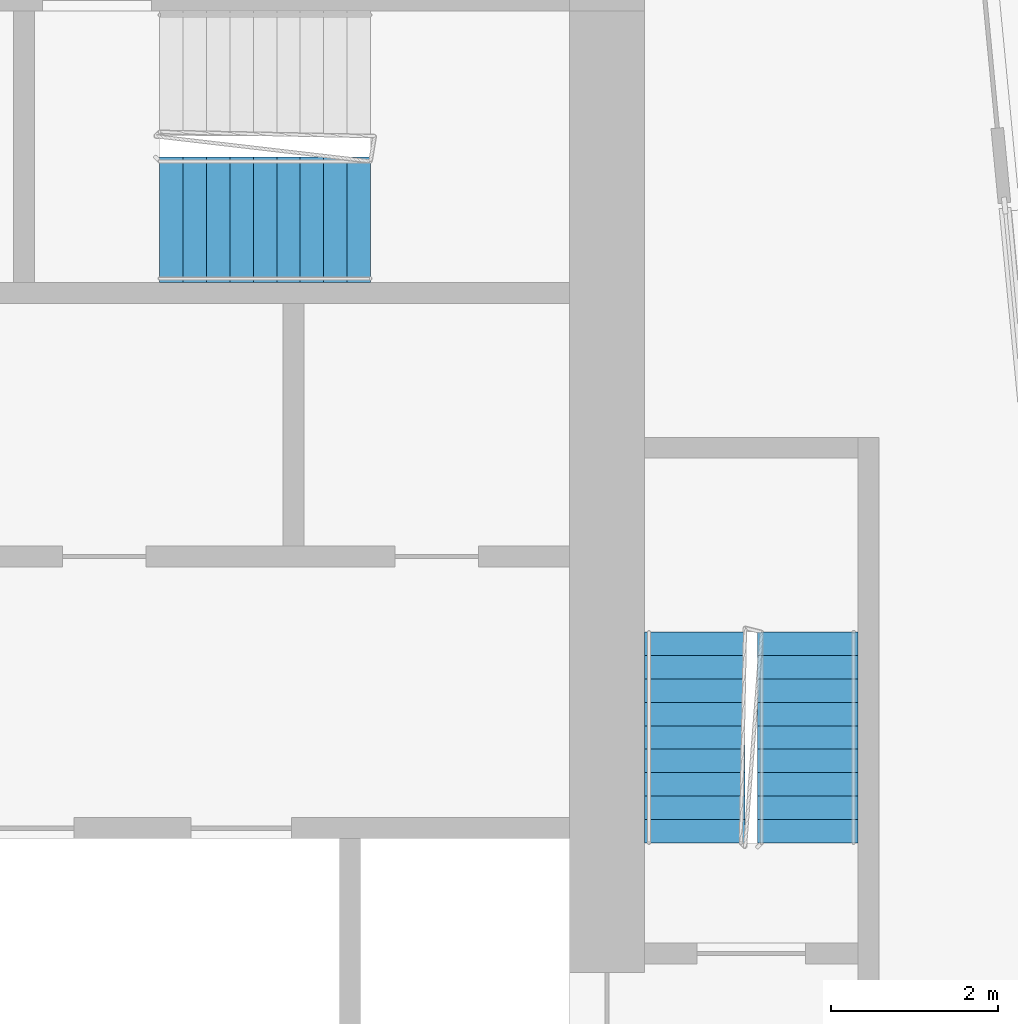
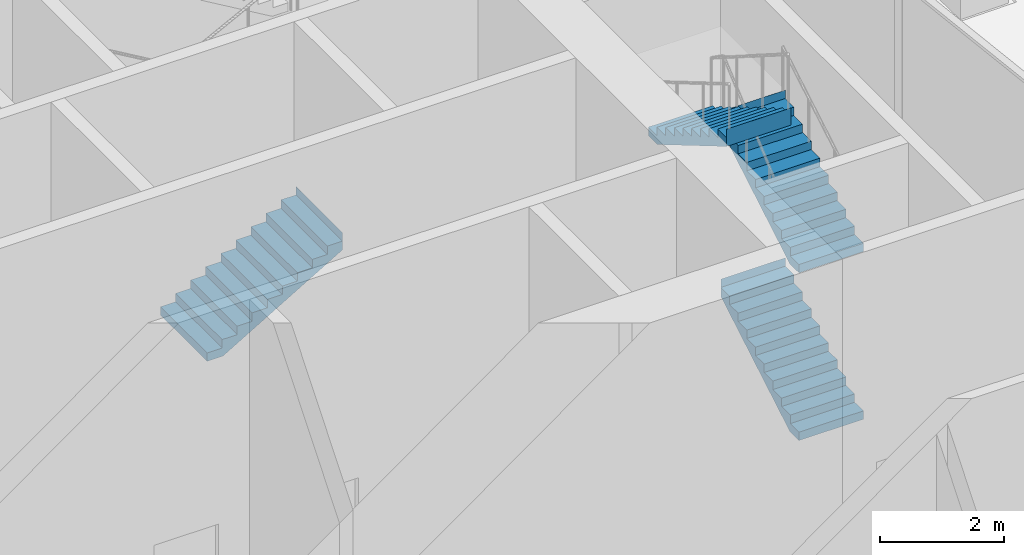
# One storey, part 20 of 24: 4 stair flights, 2 elements without a shape of their own.
"""IFC4 building model written with IfcOpenShell, lengths in metres."""

import ifcopenshell
import ifcopenshell.guid

model = None  # the IFC model being written
_history = None  # IfcOwnerHistory: only IFC2X3 demands one
_inside = {}  # id of a spatial element -> (the spatial element, [elements in it])
_under = {}  # id of a project, library or spatial element -> (it, [spatial elements below it])
_declared = {}  # id of a project -> (the project, [libraries it declares])
_typed = {}  # id of a type object -> (the type object, [elements of that type])
_made_of = {}  # id of a material, layer set ... -> (it, [elements and type objects made of it])


def new_model(schema):
    """Start an empty IFC model of exactly this schema.

    Asked for "IFC4X3", IfcOpenShell would pick the latest addendum, in which some entities
    have other attributes; the version numbers below select the first issue.
    IFC2X3 requires an IfcOwnerHistory on every rooted entity: one is made here for all.
    """
    global model, _history
    if schema == "IFC4X3":
        model = ifcopenshell.file(schema_version=(4, 3, 0, 0))
    else:
        model = ifcopenshell.file(schema=schema)
    _inside.clear()
    _under.clear()
    _declared.clear()
    _typed.clear()
    _made_of.clear()
    _history = None
    if model.schema == "IFC2X3":
        org = make("IfcOrganization", Name="unknown")
        user = make(
            "IfcPersonAndOrganization",
            ThePerson=make("IfcPerson", FamilyName="unknown"),
            TheOrganization=org,
        )
        app = make(
            "IfcApplication",
            ApplicationDeveloper=org,
            Version="unknown",
            ApplicationFullName="unknown",
            ApplicationIdentifier="unknown",
        )
        _history = make(
            "IfcOwnerHistory",
            OwningUser=user,
            OwningApplication=app,
            ChangeAction="ADDED",
            CreationDate=0,
        )
    return model


def make(cls, **values):
    """One entity of the class cls with the attributes given. An attribute that is None is left unset."""
    return model.create_entity(
        cls, **{name: value for name, value in values.items() if value is not None}
    )


def rooted(cls, **values):
    """An entity with a GlobalId (a new one), such as an element, a storey or a relation."""
    return make(cls, GlobalId=ifcopenshell.guid.new(), OwnerHistory=_history, **values)


def si_unit(unit_type, name, prefix=None):
    """IfcSIUnit, for example si_unit("LENGTHUNIT", "METRE", prefix="MILLI")."""
    return make("IfcSIUnit", UnitType=unit_type, Prefix=prefix, Name=name)


def assignment(units):
    """IfcUnitAssignment: the units of a project."""
    return None if units is None else make("IfcUnitAssignment", Units=units)


def point(xyz):
    """IfcCartesianPoint."""
    return None if xyz is None else make("IfcCartesianPoint", Coordinates=xyz)


def direction(xyz):
    """IfcDirection."""
    return None if xyz is None else make("IfcDirection", DirectionRatios=xyz)


def frame(location, z_axis=None, x_axis=None):
    """IfcAxis2Placement3D, a coordinate frame: its origin and axes. An axis left out is left unset."""
    return make(
        "IfcAxis2Placement3D",
        Location=point(location),
        Axis=direction(z_axis),
        RefDirection=direction(x_axis),
    )


def origin():
    """The frame at (0, 0, 0) with its axes left unset."""
    return frame((0.0, 0.0, 0.0))


def place(relative_to, where):
    """IfcLocalPlacement: puts the frame where relative to a parent placement (None: the world)."""
    return make(
        "IfcLocalPlacement", PlacementRelTo=relative_to, RelativePlacement=where
    )


def context(
    kind, dimensions, precision=None, world=None, true_north=None, identifier=None
):
    """IfcGeometricRepresentationContext, for example the 3D "Model" context."""
    return make(
        "IfcGeometricRepresentationContext",
        ContextIdentifier=identifier,
        ContextType=kind,
        CoordinateSpaceDimension=dimensions,
        Precision=precision,
        WorldCoordinateSystem=world,
        TrueNorth=true_north,
    )


def subcontext(parent, identifier, kind, view, scale=None):
    """IfcGeometricRepresentationSubContext, for example "Body" below "Model"."""
    return make(
        "IfcGeometricRepresentationSubContext",
        ContextIdentifier=identifier,
        ContextType=kind,
        ParentContext=parent,
        TargetScale=scale,
        TargetView=view,
    )


def project(units=None, contexts=None):
    """IfcProject with its units and contexts."""
    return rooted(
        "IfcProject",
        Name="project",
        RepresentationContexts=contexts,
        UnitsInContext=assignment(units),
    )


def spatial(cls, under=None, at=None, **own):
    """A site, building, storey or space (cls), placed at a placement, below another one or the project."""
    s = rooted(cls, ObjectPlacement=at, **own)
    if under is not None:
        _under.setdefault(under.id(), (under, []))[1].append(s)
    return s


def faces_of(points, faces, orient=None, outer=None):
    """IfcFace entities. A face is a list of loops; a loop is a list of indices into points, from 0.

    orient and outer hold one flag for each loop. By default every Orientation is true, the
    first loop of a face is its IfcFaceOuterBound and the others are IfcFaceBound.
    """
    made = []
    for i, loops in enumerate(faces):
        bounds = []
        for j, loop in enumerate(loops):
            is_outer = j == 0 if outer is None else outer[i][j]
            bounds.append(
                make(
                    "IfcFaceOuterBound" if is_outer else "IfcFaceBound",
                    Bound=make("IfcPolyLoop", Polygon=[points[k] for k in loop]),
                    Orientation=True if orient is None else orient[i][j],
                )
            )
        made.append(make("IfcFace", Bounds=bounds))
    return made


def faceted_brep(points, faces, orient=None, outer=None, voids=None):
    """IfcFacetedBrep: a solid bounded by flat faces; with voids (closed shells), ...WithVoids."""
    shared = [point(p) for p in points]
    hull = make("IfcClosedShell", CfsFaces=faces_of(shared, faces, orient, outer))
    if voids is None:
        return make("IfcFacetedBrep", Outer=hull)
    return make(
        "IfcFacetedBrepWithVoids",
        Outer=hull,
        Voids=[
            make(cls, CfsFaces=faces_of(shared, fs, o, b)) for cls, fs, o, b in voids
        ],
    )


def shape(context_of_items, identifier, shape_type, items):
    """IfcShapeRepresentation: the items that make up one representation, for example the "Body"."""
    return make(
        "IfcShapeRepresentation",
        ContextOfItems=context_of_items,
        RepresentationIdentifier=identifier,
        RepresentationType=shape_type,
        Items=items,
    )


def material(Name=None, Category=None):
    """IfcMaterial."""
    return make("IfcMaterial", Name=Name, Category=Category)


def made_of(thing, what):
    """Note that an element or type object is made of a material, layer set ...; save() writes the relation."""
    if what is not None:
        _made_of.setdefault(what.id(), (what, []))[1].append(thing)
    return thing


def type_object(cls, material=None, **own):
    """A type object (cls), such as IfcWallType, which elements share."""
    return made_of(rooted(cls, **own), material)


def element(
    cls,
    number,
    at=None,
    inside=None,
    cuts=None,
    type_object=None,
    material=None,
    context=None,
    identifier="Body",
    shape_type=None,
    held_by="IfcProductDefinitionShape",
    body=None,
    shapes=None,
    **own,
):
    """One element of the class cls, such as IfcWall. Its Tag is "e" and its number.

    at: its placement. inside: the storey or other place that contains it. cuts: it is an
    opening in that element (IfcRelVoidsElement). A single representation is given by context,
    identifier, shape_type and body (its items); several are given by shapes. held_by: the class
    of the entity that holds the representations. save() writes the other relations.
    """
    e = rooted(cls, Tag="e%d" % number, ObjectPlacement=at, **own)
    if body is not None:
        shapes = [shape(context, identifier, shape_type, body)]
    if shapes is not None:
        e.Representation = make(held_by, Representations=shapes)
    if inside is not None:
        _inside.setdefault(inside.id(), (inside, []))[1].append(e)
    if cuts is not None:
        rooted(
            "IfcRelVoidsElement", RelatingBuildingElement=cuts, RelatedOpeningElement=e
        )
    if type_object is not None:
        _typed.setdefault(type_object.id(), (type_object, []))[1].append(e)
    return made_of(e, material)


def aggregate(whole, parts):
    """IfcRelAggregates: a whole, such as a stair, and the parts it consists of."""
    return rooted("IfcRelAggregates", RelatingObject=whole, RelatedObjects=parts)


def save(model, path):
    """Write the relations noted so far, then the file.

    IfcRelAggregates (storeys below a building ...), IfcRelContainedInSpatialStructure (elements
    in a storey), IfcRelDefinesByType, IfcRelAssociatesMaterial and IfcRelDeclares: one each for
    every whole, place, type object, material and project.
    """
    for whole, parts in _under.values():
        aggregate(whole, parts)
    for where, things in _inside.values():
        rooted(
            "IfcRelContainedInSpatialStructure",
            RelatedElements=things,
            RelatingStructure=where,
        )
    for kind, things in _typed.values():
        rooted("IfcRelDefinesByType", RelatedObjects=things, RelatingType=kind)
    for what, things in _made_of.values():
        rooted("IfcRelAssociatesMaterial", RelatedObjects=things, RelatingMaterial=what)
    for by, libraries in _declared.values():
        rooted("IfcRelDeclares", RelatingContext=by, RelatedDefinitions=libraries)
    model.write(path)


model = new_model("IFC4")

# Units and contexts
model_context = context("Model", 3, precision=1e-05, world=origin(), true_north=direction((0.0, 1.0)))
body_context = subcontext(model_context, "Body", "Model", "MODEL_VIEW")
ifc_project = project(units=[si_unit("LENGTHUNIT", "METRE"), si_unit("AREAUNIT", "SQUARE_METRE"), si_unit("VOLUMEUNIT", "CUBIC_METRE"), si_unit("PLANEANGLEUNIT", "RADIAN"), si_unit("MASSUNIT", "GRAM", prefix="KILO")], contexts=[model_context])

# Site, building, storey
site_placement = place(None, origin())
site = spatial("IfcSite", under=ifc_project, at=site_placement, CompositionType="ELEMENT")
building_placement = place(site_placement, origin())
building = spatial("IfcBuilding", under=site, at=building_placement, Name="Kajstack Hotel Tower", CompositionType="ELEMENT")
storey_placement = place(building_placement, frame((0.0, 0.0, 261.89990234375)))
storey = spatial("IfcBuildingStorey", under=building, at=storey_placement, Name="L65", CompositionType="ELEMENT", Elevation=261.89990234375)

# Stair, stair flights
ifc_material = material(Name="Concrete C40/50", Category="concrete")
stair_type_1 = type_object("IfcStairType", Name="Exit stair 1200", PredefinedType="HALF_TURN_STAIR", material=ifc_material)
stair_1_placement = place(storey_placement, origin())
stair_1 = element("IfcStair", 1, at=stair_1_placement, inside=storey, type_object=stair_type_1, Name="L65 stair E1", PredefinedType="HALF_TURN_STAIR")
stair_flight_type_1 = type_object("IfcStairFlightType", Name="Exit stair flight 1200", PredefinedType="STRAIGHT", material=ifc_material)
stair_flight_1_placement = place(storey_placement, frame((33.449951171875, 5.25, 0.0), z_axis=(0.0, 0.0, 1.0), x_axis=(0.0, 1.0, 0.0)))
stair_flight_1 = element("IfcStairFlight", 2, at=stair_flight_1_placement, type_object=stair_flight_type_1, Name="E1 flight 1", NumberOfRisers=10, NumberOfTreads=9, PredefinedType="STRAIGHT", RiserHeight=0.165, TreadLength=0.28, context=body_context, shape_type="Brep", body=[
    faceted_brep([(0.295654296875, -0.60009765625, 0.0), (2.5205078125, -0.60009765625, 1.31103515625), (2.5205078125, -0.60009765625, 1.64990234375), (2.52001953125, -0.60009765625, 1.64990234375), (2.52001953125, -0.60009765625, 1.485107421875), (2.239990234375, -0.60009765625, 1.485107421875), (2.239990234375, -0.60009765625, 1.320068359375), (1.9599609375, -0.60009765625, 1.320068359375), (1.9599609375, -0.60009765625, 1.155029296875), (1.679931640625, -0.60009765625, 1.155029296875), (1.679931640625, -0.60009765625, 0.989990234375), (1.39990234375, -0.60009765625, 0.989990234375), (1.39990234375, -0.60009765625, 0.824951171875), (1.1201171875, -0.60009765625, 0.824951171875), (1.1201171875, -0.60009765625, 0.659912109375), (0.840087890625, -0.60009765625, 0.659912109375), (0.840087890625, -0.60009765625, 0.4951171875), (0.56005859375, -0.60009765625, 0.4951171875), (0.56005859375, -0.60009765625, 0.330078125), (0.280029296875, -0.60009765625, 0.330078125), (0.280029296875, -0.60009765625, 0.1650390625), (-0.00048828125, -0.60009765625, 0.1650390625), (-0.00048828125, -0.60009765625, 0.0), (-0.00048828125, 0.60009765625, 0.0), (-0.00048828125, 0.60009765625, 0.1650390625), (0.280029296875, 0.60009765625, 0.1650390625), (0.280029296875, 0.60009765625, 0.330078125), (0.56005859375, 0.60009765625, 0.330078125), (0.56005859375, 0.60009765625, 0.4951171875), (0.840087890625, 0.60009765625, 0.4951171875), (0.840087890625, 0.60009765625, 0.659912109375), (1.1201171875, 0.60009765625, 0.659912109375), (1.1201171875, 0.60009765625, 0.824951171875), (1.39990234375, 0.60009765625, 0.824951171875), (1.39990234375, 0.60009765625, 0.989990234375), (1.679931640625, 0.60009765625, 0.989990234375), (1.679931640625, 0.60009765625, 1.155029296875), (1.9599609375, 0.60009765625, 1.155029296875), (1.9599609375, 0.60009765625, 1.320068359375), (2.239990234375, 0.60009765625, 1.320068359375), (2.239990234375, 0.60009765625, 1.485107421875), (2.52001953125, 0.60009765625, 1.485107421875), (2.52001953125, 0.60009765625, 1.64990234375), (2.5205078125, 0.60009765625, 1.64990234375), (2.5205078125, 0.60009765625, 1.31103515625), (0.295654296875, 0.60009765625, 0.0), (-0.00048828125, -0.300048828125, 0.1650390625), (-0.00048828125, 0.0, 0.1650390625), (-0.00048828125, 0.300048828125, 0.1650390625), (-0.00048828125, 0.300048828125, 0.0), (-0.00048828125, 0.0, 0.0), (-0.00048828125, -0.300048828125, 0.0), (0.280029296875, -0.300048828125, 0.1650390625), (0.280029296875, 0.0, 0.1650390625), (0.280029296875, 0.300048828125, 0.1650390625), (0.280029296875, -0.300048828125, 0.330078125), (0.280029296875, 0.0, 0.330078125), (0.280029296875, 0.300048828125, 0.330078125), (0.56005859375, -0.300048828125, 0.330078125), (0.56005859375, 0.0, 0.330078125), (0.56005859375, 0.300048828125, 0.330078125), (0.56005859375, -0.300048828125, 0.4951171875), (0.56005859375, 0.0, 0.4951171875), (0.56005859375, 0.300048828125, 0.4951171875), (0.840087890625, -0.300048828125, 0.4951171875), (0.840087890625, 0.0, 0.4951171875), (0.840087890625, 0.300048828125, 0.4951171875), (0.840087890625, -0.300048828125, 0.659912109375), (0.840087890625, 0.0, 0.659912109375), (0.840087890625, 0.300048828125, 0.659912109375), (1.1201171875, -0.300048828125, 0.659912109375), (1.1201171875, 0.0, 0.659912109375), (1.1201171875, 0.300048828125, 0.659912109375), (1.1201171875, -0.300048828125, 0.824951171875), (1.1201171875, 0.0, 0.824951171875), (1.1201171875, 0.300048828125, 0.824951171875), (1.39990234375, -0.300048828125, 0.824951171875), (1.39990234375, 0.0, 0.824951171875), (1.39990234375, 0.300048828125, 0.824951171875), (1.39990234375, -0.300048828125, 0.989990234375), (1.39990234375, 0.0, 0.989990234375), (1.39990234375, 0.300048828125, 0.989990234375), (1.679931640625, -0.300048828125, 0.989990234375), (1.679931640625, 0.0, 0.989990234375), (1.679931640625, 0.300048828125, 0.989990234375), (1.679931640625, -0.300048828125, 1.155029296875), (1.679931640625, 0.0, 1.155029296875), (1.679931640625, 0.300048828125, 1.155029296875), (1.9599609375, -0.300048828125, 1.155029296875), (1.9599609375, 0.0, 1.155029296875), (1.9599609375, 0.300048828125, 1.155029296875), (1.9599609375, -0.300048828125, 1.320068359375), (1.9599609375, 0.0, 1.320068359375), (1.9599609375, 0.300048828125, 1.320068359375), (2.239990234375, -0.300048828125, 1.320068359375), (2.239990234375, 0.0, 1.320068359375), (2.239990234375, 0.300048828125, 1.320068359375), (2.239990234375, -0.300048828125, 1.485107421875), (2.239990234375, 0.0, 1.485107421875), (2.239990234375, 0.300048828125, 1.485107421875), (2.52001953125, -0.300048828125, 1.485107421875), (2.52001953125, 0.0, 1.485107421875), (2.52001953125, 0.300048828125, 1.485107421875), (2.52001953125, -0.300048828125, 1.64990234375), (2.52001953125, 0.0, 1.64990234375), (2.52001953125, 0.300048828125, 1.64990234375), (2.5205078125, -0.300048828125, 1.64990234375), (2.5205078125, 0.0, 1.64990234375), (2.5205078125, 0.300048828125, 1.64990234375), (2.5205078125, -0.300048828125, 1.31103515625), (2.5205078125, 0.0, 1.31103515625), (2.5205078125, 0.300048828125, 1.31103515625), (0.295654296875, -0.300048828125, 0.0), (0.295654296875, 0.0, 0.0), (0.295654296875, 0.300048828125, 0.0)], [[[0, 1, 2, 3, 4, 5, 6, 7, 8, 9, 10, 11, 12, 13, 14, 15, 16, 17, 18, 19, 20, 21, 22]], [[23, 24, 25, 26, 27, 28, 29, 30, 31, 32, 33, 34, 35, 36, 37, 38, 39, 40, 41, 42, 43, 44, 45]], [[21, 46, 47, 48, 24, 23, 49, 50, 51, 22]], [[20, 52, 53, 54, 25, 24, 48, 47, 46, 21]], [[19, 55, 56, 57, 26, 25, 54, 53, 52, 20]], [[18, 58, 59, 60, 27, 26, 57, 56, 55, 19]], [[17, 61, 62, 63, 28, 27, 60, 59, 58, 18]], [[16, 64, 65, 66, 29, 28, 63, 62, 61, 17]], [[15, 67, 68, 69, 30, 29, 66, 65, 64, 16]], [[14, 70, 71, 72, 31, 30, 69, 68, 67, 15]], [[13, 73, 74, 75, 32, 31, 72, 71, 70, 14]], [[12, 76, 77, 78, 33, 32, 75, 74, 73, 13]], [[11, 79, 80, 81, 34, 33, 78, 77, 76, 12]], [[10, 82, 83, 84, 35, 34, 81, 80, 79, 11]], [[9, 85, 86, 87, 36, 35, 84, 83, 82, 10]], [[8, 88, 89, 90, 37, 36, 87, 86, 85, 9]], [[7, 91, 92, 93, 38, 37, 90, 89, 88, 8]], [[6, 94, 95, 96, 39, 38, 93, 92, 91, 7]], [[5, 97, 98, 99, 40, 39, 96, 95, 94, 6]], [[4, 100, 101, 102, 41, 40, 99, 98, 97, 5]], [[3, 103, 104, 105, 42, 41, 102, 101, 100, 4]], [[2, 106, 107, 108, 43, 42, 105, 104, 103, 3]], [[1, 109, 110, 111, 44, 43, 108, 107, 106, 2]], [[0, 112, 113, 114, 45, 44, 111, 110, 109, 1]], [[22, 51, 50, 49, 23, 45, 114, 113, 112, 0]]]),
])
stair_flight_2_placement = place(storey_placement, frame((33.449951171875, 5.25, 3.300048828125), z_axis=(0.0, 0.0, 1.0), x_axis=(0.0, 1.0, 0.0)))
stair_flight_2 = element("IfcStairFlight", 3, at=stair_flight_2_placement, type_object=stair_flight_type_1, Name="E1 flight 3", NumberOfRisers=10, NumberOfTreads=9, PredefinedType="STRAIGHT", RiserHeight=0.165, TreadLength=0.28, context=body_context, shape_type="Brep", body=[
    faceted_brep([(0.295654296875, -0.60009765625, 0.0), (2.5205078125, -0.60009765625, 1.31103515625), (2.5205078125, -0.60009765625, 1.64990234375), (2.52001953125, -0.60009765625, 1.64990234375), (2.52001953125, -0.60009765625, 1.485107421875), (2.239990234375, -0.60009765625, 1.485107421875), (2.239990234375, -0.60009765625, 1.320068359375), (1.9599609375, -0.60009765625, 1.320068359375), (1.9599609375, -0.60009765625, 1.155029296875), (1.679931640625, -0.60009765625, 1.155029296875), (1.679931640625, -0.60009765625, 0.989990234375), (1.39990234375, -0.60009765625, 0.989990234375), (1.39990234375, -0.60009765625, 0.824951171875), (1.1201171875, -0.60009765625, 0.824951171875), (1.1201171875, -0.60009765625, 0.659912109375), (0.840087890625, -0.60009765625, 0.659912109375), (0.840087890625, -0.60009765625, 0.4951171875), (0.56005859375, -0.60009765625, 0.4951171875), (0.56005859375, -0.60009765625, 0.330078125), (0.280029296875, -0.60009765625, 0.330078125), (0.280029296875, -0.60009765625, 0.1650390625), (-0.00048828125, -0.60009765625, 0.1650390625), (-0.00048828125, -0.60009765625, 0.0), (-0.00048828125, 0.60009765625, 0.0), (-0.00048828125, 0.60009765625, 0.1650390625), (0.280029296875, 0.60009765625, 0.1650390625), (0.280029296875, 0.60009765625, 0.330078125), (0.56005859375, 0.60009765625, 0.330078125), (0.56005859375, 0.60009765625, 0.4951171875), (0.840087890625, 0.60009765625, 0.4951171875), (0.840087890625, 0.60009765625, 0.659912109375), (1.1201171875, 0.60009765625, 0.659912109375), (1.1201171875, 0.60009765625, 0.824951171875), (1.39990234375, 0.60009765625, 0.824951171875), (1.39990234375, 0.60009765625, 0.989990234375), (1.679931640625, 0.60009765625, 0.989990234375), (1.679931640625, 0.60009765625, 1.155029296875), (1.9599609375, 0.60009765625, 1.155029296875), (1.9599609375, 0.60009765625, 1.320068359375), (2.239990234375, 0.60009765625, 1.320068359375), (2.239990234375, 0.60009765625, 1.485107421875), (2.52001953125, 0.60009765625, 1.485107421875), (2.52001953125, 0.60009765625, 1.64990234375), (2.5205078125, 0.60009765625, 1.64990234375), (2.5205078125, 0.60009765625, 1.31103515625), (0.295654296875, 0.60009765625, 0.0), (-0.00048828125, -0.300048828125, 0.1650390625), (-0.00048828125, 0.0, 0.1650390625), (-0.00048828125, 0.300048828125, 0.1650390625), (-0.00048828125, 0.300048828125, 0.0), (-0.00048828125, 0.0, 0.0), (-0.00048828125, -0.300048828125, 0.0), (0.280029296875, -0.300048828125, 0.1650390625), (0.280029296875, 0.0, 0.1650390625), (0.280029296875, 0.300048828125, 0.1650390625), (0.280029296875, -0.300048828125, 0.330078125), (0.280029296875, 0.0, 0.330078125), (0.280029296875, 0.300048828125, 0.330078125), (0.56005859375, -0.300048828125, 0.330078125), (0.56005859375, 0.0, 0.330078125), (0.56005859375, 0.300048828125, 0.330078125), (0.56005859375, -0.300048828125, 0.4951171875), (0.56005859375, 0.0, 0.4951171875), (0.56005859375, 0.300048828125, 0.4951171875), (0.840087890625, -0.300048828125, 0.4951171875), (0.840087890625, 0.0, 0.4951171875), (0.840087890625, 0.300048828125, 0.4951171875), (0.840087890625, -0.300048828125, 0.659912109375), (0.840087890625, 0.0, 0.659912109375), (0.840087890625, 0.300048828125, 0.659912109375), (1.1201171875, -0.300048828125, 0.659912109375), (1.1201171875, 0.0, 0.659912109375), (1.1201171875, 0.300048828125, 0.659912109375), (1.1201171875, -0.300048828125, 0.824951171875), (1.1201171875, 0.0, 0.824951171875), (1.1201171875, 0.300048828125, 0.824951171875), (1.39990234375, -0.300048828125, 0.824951171875), (1.39990234375, 0.0, 0.824951171875), (1.39990234375, 0.300048828125, 0.824951171875), (1.39990234375, -0.300048828125, 0.989990234375), (1.39990234375, 0.0, 0.989990234375), (1.39990234375, 0.300048828125, 0.989990234375), (1.679931640625, -0.300048828125, 0.989990234375), (1.679931640625, 0.0, 0.989990234375), (1.679931640625, 0.300048828125, 0.989990234375), (1.679931640625, -0.300048828125, 1.155029296875), (1.679931640625, 0.0, 1.155029296875), (1.679931640625, 0.300048828125, 1.155029296875), (1.9599609375, -0.300048828125, 1.155029296875), (1.9599609375, 0.0, 1.155029296875), (1.9599609375, 0.300048828125, 1.155029296875), (1.9599609375, -0.300048828125, 1.320068359375), (1.9599609375, 0.0, 1.320068359375), (1.9599609375, 0.300048828125, 1.320068359375), (2.239990234375, -0.300048828125, 1.320068359375), (2.239990234375, 0.0, 1.320068359375), (2.239990234375, 0.300048828125, 1.320068359375), (2.239990234375, -0.300048828125, 1.485107421875), (2.239990234375, 0.0, 1.485107421875), (2.239990234375, 0.300048828125, 1.485107421875), (2.52001953125, -0.300048828125, 1.485107421875), (2.52001953125, 0.0, 1.485107421875), (2.52001953125, 0.300048828125, 1.485107421875), (2.52001953125, -0.300048828125, 1.64990234375), (2.52001953125, 0.0, 1.64990234375), (2.52001953125, 0.300048828125, 1.64990234375), (2.5205078125, -0.300048828125, 1.64990234375), (2.5205078125, 0.0, 1.64990234375), (2.5205078125, 0.300048828125, 1.64990234375), (2.5205078125, -0.300048828125, 1.31103515625), (2.5205078125, 0.0, 1.31103515625), (2.5205078125, 0.300048828125, 1.31103515625), (0.295654296875, -0.300048828125, 0.0), (0.295654296875, 0.0, 0.0), (0.295654296875, 0.300048828125, 0.0)], [[[0, 1, 2, 3, 4, 5, 6, 7, 8, 9, 10, 11, 12, 13, 14, 15, 16, 17, 18, 19, 20, 21, 22]], [[23, 24, 25, 26, 27, 28, 29, 30, 31, 32, 33, 34, 35, 36, 37, 38, 39, 40, 41, 42, 43, 44, 45]], [[21, 46, 47, 48, 24, 23, 49, 50, 51, 22]], [[20, 52, 53, 54, 25, 24, 48, 47, 46, 21]], [[19, 55, 56, 57, 26, 25, 54, 53, 52, 20]], [[18, 58, 59, 60, 27, 26, 57, 56, 55, 19]], [[17, 61, 62, 63, 28, 27, 60, 59, 58, 18]], [[16, 64, 65, 66, 29, 28, 63, 62, 61, 17]], [[15, 67, 68, 69, 30, 29, 66, 65, 64, 16]], [[14, 70, 71, 72, 31, 30, 69, 68, 67, 15]], [[13, 73, 74, 75, 32, 31, 72, 71, 70, 14]], [[12, 76, 77, 78, 33, 32, 75, 74, 73, 13]], [[11, 79, 80, 81, 34, 33, 78, 77, 76, 12]], [[10, 82, 83, 84, 35, 34, 81, 80, 79, 11]], [[9, 85, 86, 87, 36, 35, 84, 83, 82, 10]], [[8, 88, 89, 90, 37, 36, 87, 86, 85, 9]], [[7, 91, 92, 93, 38, 37, 90, 89, 88, 8]], [[6, 94, 95, 96, 39, 38, 93, 92, 91, 7]], [[5, 97, 98, 99, 40, 39, 96, 95, 94, 6]], [[4, 100, 101, 102, 41, 40, 99, 98, 97, 5]], [[3, 103, 104, 105, 42, 41, 102, 101, 100, 4]], [[2, 106, 107, 108, 43, 42, 105, 104, 103, 3]], [[1, 109, 110, 111, 44, 43, 108, 107, 106, 2]], [[0, 112, 113, 114, 45, 44, 111, 110, 109, 1]], [[22, 51, 50, 49, 23, 45, 114, 113, 112, 0]]]),
])
stair_flight_3_placement = place(storey_placement, frame((32.10009765625, 7.77001953125, 4.9501953125), z_axis=(0.0, 0.0, 1.0), x_axis=(0.0, -1.0, 0.0)))
stair_flight_3 = element("IfcStairFlight", 4, at=stair_flight_3_placement, type_object=stair_flight_type_1, Name="E1 flight 4", NumberOfRisers=10, NumberOfTreads=9, PredefinedType="STRAIGHT", RiserHeight=0.165, TreadLength=0.28, context=body_context, shape_type="Brep", body=[
    faceted_brep([(0.295654296875, -0.60009765625, 0.0), (2.5205078125, -0.60009765625, 1.31103515625), (2.5205078125, -0.60009765625, 1.64990234375), (2.52001953125, -0.60009765625, 1.64990234375), (2.52001953125, -0.60009765625, 1.485107421875), (2.239990234375, -0.60009765625, 1.485107421875), (2.239990234375, -0.60009765625, 1.320068359375), (1.9599609375, -0.60009765625, 1.320068359375), (1.9599609375, -0.60009765625, 1.155029296875), (1.679931640625, -0.60009765625, 1.155029296875), (1.679931640625, -0.60009765625, 0.989990234375), (1.39990234375, -0.60009765625, 0.989990234375), (1.39990234375, -0.60009765625, 0.824951171875), (1.1201171875, -0.60009765625, 0.824951171875), (1.1201171875, -0.60009765625, 0.659912109375), (0.840087890625, -0.60009765625, 0.659912109375), (0.840087890625, -0.60009765625, 0.4951171875), (0.56005859375, -0.60009765625, 0.4951171875), (0.56005859375, -0.60009765625, 0.330078125), (0.280029296875, -0.60009765625, 0.330078125), (0.280029296875, -0.60009765625, 0.1650390625), (-0.00048828125, -0.60009765625, 0.1650390625), (-0.00048828125, -0.60009765625, 0.0), (-0.00048828125, 0.60009765625, 0.0), (-0.00048828125, 0.60009765625, 0.1650390625), (0.280029296875, 0.60009765625, 0.1650390625), (0.280029296875, 0.60009765625, 0.330078125), (0.56005859375, 0.60009765625, 0.330078125), (0.56005859375, 0.60009765625, 0.4951171875), (0.840087890625, 0.60009765625, 0.4951171875), (0.840087890625, 0.60009765625, 0.659912109375), (1.1201171875, 0.60009765625, 0.659912109375), (1.1201171875, 0.60009765625, 0.824951171875), (1.39990234375, 0.60009765625, 0.824951171875), (1.39990234375, 0.60009765625, 0.989990234375), (1.679931640625, 0.60009765625, 0.989990234375), (1.679931640625, 0.60009765625, 1.155029296875), (1.9599609375, 0.60009765625, 1.155029296875), (1.9599609375, 0.60009765625, 1.320068359375), (2.239990234375, 0.60009765625, 1.320068359375), (2.239990234375, 0.60009765625, 1.485107421875), (2.52001953125, 0.60009765625, 1.485107421875), (2.52001953125, 0.60009765625, 1.64990234375), (2.5205078125, 0.60009765625, 1.64990234375), (2.5205078125, 0.60009765625, 1.31103515625), (0.295654296875, 0.60009765625, 0.0), (-0.00048828125, -0.300048828125, 0.1650390625), (-0.00048828125, 0.0, 0.1650390625), (-0.00048828125, 0.300048828125, 0.1650390625), (-0.00048828125, 0.300048828125, 0.0), (-0.00048828125, 0.0, 0.0), (-0.00048828125, -0.300048828125, 0.0), (0.280029296875, -0.300048828125, 0.1650390625), (0.280029296875, 0.0, 0.1650390625), (0.280029296875, 0.300048828125, 0.1650390625), (0.280029296875, -0.300048828125, 0.330078125), (0.280029296875, 0.0, 0.330078125), (0.280029296875, 0.300048828125, 0.330078125), (0.56005859375, -0.300048828125, 0.330078125), (0.56005859375, 0.0, 0.330078125), (0.56005859375, 0.300048828125, 0.330078125), (0.56005859375, -0.300048828125, 0.4951171875), (0.56005859375, 0.0, 0.4951171875), (0.56005859375, 0.300048828125, 0.4951171875), (0.840087890625, -0.300048828125, 0.4951171875), (0.840087890625, 0.0, 0.4951171875), (0.840087890625, 0.300048828125, 0.4951171875), (0.840087890625, -0.300048828125, 0.659912109375), (0.840087890625, 0.0, 0.659912109375), (0.840087890625, 0.300048828125, 0.659912109375), (1.1201171875, -0.300048828125, 0.659912109375), (1.1201171875, 0.0, 0.659912109375), (1.1201171875, 0.300048828125, 0.659912109375), (1.1201171875, -0.300048828125, 0.824951171875), (1.1201171875, 0.0, 0.824951171875), (1.1201171875, 0.300048828125, 0.824951171875), (1.39990234375, -0.300048828125, 0.824951171875), (1.39990234375, 0.0, 0.824951171875), (1.39990234375, 0.300048828125, 0.824951171875), (1.39990234375, -0.300048828125, 0.989990234375), (1.39990234375, 0.0, 0.989990234375), (1.39990234375, 0.300048828125, 0.989990234375), (1.679931640625, -0.300048828125, 0.989990234375), (1.679931640625, 0.0, 0.989990234375), (1.679931640625, 0.300048828125, 0.989990234375), (1.679931640625, -0.300048828125, 1.155029296875), (1.679931640625, 0.0, 1.155029296875), (1.679931640625, 0.300048828125, 1.155029296875), (1.9599609375, -0.300048828125, 1.155029296875), (1.9599609375, 0.0, 1.155029296875), (1.9599609375, 0.300048828125, 1.155029296875), (1.9599609375, -0.300048828125, 1.320068359375), (1.9599609375, 0.0, 1.320068359375), (1.9599609375, 0.300048828125, 1.320068359375), (2.239990234375, -0.300048828125, 1.320068359375), (2.239990234375, 0.0, 1.320068359375), (2.239990234375, 0.300048828125, 1.320068359375), (2.239990234375, -0.300048828125, 1.485107421875), (2.239990234375, 0.0, 1.485107421875), (2.239990234375, 0.300048828125, 1.485107421875), (2.52001953125, -0.300048828125, 1.485107421875), (2.52001953125, 0.0, 1.485107421875), (2.52001953125, 0.300048828125, 1.485107421875), (2.52001953125, -0.300048828125, 1.64990234375), (2.52001953125, 0.0, 1.64990234375), (2.52001953125, 0.300048828125, 1.64990234375), (2.5205078125, -0.300048828125, 1.64990234375), (2.5205078125, 0.0, 1.64990234375), (2.5205078125, 0.300048828125, 1.64990234375), (2.5205078125, -0.300048828125, 1.31103515625), (2.5205078125, 0.0, 1.31103515625), (2.5205078125, 0.300048828125, 1.31103515625), (0.295654296875, -0.300048828125, 0.0), (0.295654296875, 0.0, 0.0), (0.295654296875, 0.300048828125, 0.0)], [[[0, 1, 2, 3, 4, 5, 6, 7, 8, 9, 10, 11, 12, 13, 14, 15, 16, 17, 18, 19, 20, 21, 22]], [[23, 24, 25, 26, 27, 28, 29, 30, 31, 32, 33, 34, 35, 36, 37, 38, 39, 40, 41, 42, 43, 44, 45]], [[21, 46, 47, 48, 24, 23, 49, 50, 51, 22]], [[20, 52, 53, 54, 25, 24, 48, 47, 46, 21]], [[19, 55, 56, 57, 26, 25, 54, 53, 52, 20]], [[18, 58, 59, 60, 27, 26, 57, 56, 55, 19]], [[17, 61, 62, 63, 28, 27, 60, 59, 58, 18]], [[16, 64, 65, 66, 29, 28, 63, 62, 61, 17]], [[15, 67, 68, 69, 30, 29, 66, 65, 64, 16]], [[14, 70, 71, 72, 31, 30, 69, 68, 67, 15]], [[13, 73, 74, 75, 32, 31, 72, 71, 70, 14]], [[12, 76, 77, 78, 33, 32, 75, 74, 73, 13]], [[11, 79, 80, 81, 34, 33, 78, 77, 76, 12]], [[10, 82, 83, 84, 35, 34, 81, 80, 79, 11]], [[9, 85, 86, 87, 36, 35, 84, 83, 82, 10]], [[8, 88, 89, 90, 37, 36, 87, 86, 85, 9]], [[7, 91, 92, 93, 38, 37, 90, 89, 88, 8]], [[6, 94, 95, 96, 39, 38, 93, 92, 91, 7]], [[5, 97, 98, 99, 40, 39, 96, 95, 94, 6]], [[4, 100, 101, 102, 41, 40, 99, 98, 97, 5]], [[3, 103, 104, 105, 42, 41, 102, 101, 100, 4]], [[2, 106, 107, 108, 43, 42, 105, 104, 103, 3]], [[1, 109, 110, 111, 44, 43, 108, 107, 106, 2]], [[0, 112, 113, 114, 45, 44, 111, 110, 109, 1]], [[22, 51, 50, 49, 23, 45, 114, 113, 112, 0]]]),
])
aggregate(stair_1, [stair_flight_1, stair_flight_2, stair_flight_3])

# Stair, stair flight
stair_type_2 = type_object("IfcStairType", Name="Exit stair 1500", PredefinedType="HALF_TURN_STAIR", material=ifc_material)
stair_2_placement = place(storey_placement, origin())
stair_2 = element("IfcStair", 5, at=stair_2_placement, inside=storey, type_object=stair_type_2, Name="L65 stair E3", PredefinedType="HALF_TURN_STAIR")
stair_flight_type_2 = type_object("IfcStairFlightType", Name="Exit stair flight 1500", PredefinedType="STRAIGHT", material=ifc_material)
stair_flight_4_placement = place(storey_placement, frame((25.699951171875, 12.699951171875, 0.0), z_axis=(0.0, 0.0, 1.0), x_axis=(1.0, 0.0, 0.0)))
stair_flight_4 = element("IfcStairFlight", 6, at=stair_flight_4_placement, type_object=stair_flight_type_2, Name="E3 flight 1", NumberOfRisers=10, NumberOfTreads=9, PredefinedType="STRAIGHT", RiserHeight=0.165, TreadLength=0.28, context=body_context, shape_type="Brep", body=[
    faceted_brep([(0.295654296875, -0.75, 0.0), (2.5205078125, -0.75, 1.31103515625), (2.5205078125, -0.75, 1.64990234375), (2.52001953125, -0.75, 1.64990234375), (2.52001953125, -0.75, 1.485107421875), (2.239990234375, -0.75, 1.485107421875), (2.239990234375, -0.75, 1.320068359375), (1.9599609375, -0.75, 1.320068359375), (1.9599609375, -0.75, 1.155029296875), (1.679931640625, -0.75, 1.155029296875), (1.679931640625, -0.75, 0.989990234375), (1.39990234375, -0.75, 0.989990234375), (1.39990234375, -0.75, 0.824951171875), (1.1201171875, -0.75, 0.824951171875), (1.1201171875, -0.75, 0.659912109375), (0.840087890625, -0.75, 0.659912109375), (0.840087890625, -0.75, 0.4951171875), (0.56005859375, -0.75, 0.4951171875), (0.56005859375, -0.75, 0.330078125), (0.280029296875, -0.75, 0.330078125), (0.280029296875, -0.75, 0.1650390625), (-0.00048828125, -0.75, 0.1650390625), (-0.00048828125, -0.75, 0.0), (-0.00048828125, 0.75, 0.0), (-0.00048828125, 0.75, 0.1650390625), (0.280029296875, 0.75, 0.1650390625), (0.280029296875, 0.75, 0.330078125), (0.56005859375, 0.75, 0.330078125), (0.56005859375, 0.75, 0.4951171875), (0.840087890625, 0.75, 0.4951171875), (0.840087890625, 0.75, 0.659912109375), (1.1201171875, 0.75, 0.659912109375), (1.1201171875, 0.75, 0.824951171875), (1.39990234375, 0.75, 0.824951171875), (1.39990234375, 0.75, 0.989990234375), (1.679931640625, 0.75, 0.989990234375), (1.679931640625, 0.75, 1.155029296875), (1.9599609375, 0.75, 1.155029296875), (1.9599609375, 0.75, 1.320068359375), (2.239990234375, 0.75, 1.320068359375), (2.239990234375, 0.75, 1.485107421875), (2.52001953125, 0.75, 1.485107421875), (2.52001953125, 0.75, 1.64990234375), (2.5205078125, 0.75, 1.64990234375), (2.5205078125, 0.75, 1.31103515625), (0.295654296875, 0.75, 0.0), (-0.00048828125, -0.375, 0.1650390625), (-0.00048828125, 0.0, 0.1650390625), (-0.00048828125, 0.375, 0.1650390625), (-0.00048828125, 0.375, 0.0), (-0.00048828125, 0.0, 0.0), (-0.00048828125, -0.375, 0.0), (0.280029296875, -0.375, 0.1650390625), (0.280029296875, 0.0, 0.1650390625), (0.280029296875, 0.375, 0.1650390625), (0.280029296875, -0.375, 0.330078125), (0.280029296875, 0.0, 0.330078125), (0.280029296875, 0.375, 0.330078125), (0.56005859375, -0.375, 0.330078125), (0.56005859375, 0.0, 0.330078125), (0.56005859375, 0.375, 0.330078125), (0.56005859375, -0.375, 0.4951171875), (0.56005859375, 0.0, 0.4951171875), (0.56005859375, 0.375, 0.4951171875), (0.840087890625, -0.375, 0.4951171875), (0.840087890625, 0.0, 0.4951171875), (0.840087890625, 0.375, 0.4951171875), (0.840087890625, -0.375, 0.659912109375), (0.840087890625, 0.0, 0.659912109375), (0.840087890625, 0.375, 0.659912109375), (1.1201171875, -0.375, 0.659912109375), (1.1201171875, 0.0, 0.659912109375), (1.1201171875, 0.375, 0.659912109375), (1.1201171875, -0.375, 0.824951171875), (1.1201171875, 0.0, 0.824951171875), (1.1201171875, 0.375, 0.824951171875), (1.39990234375, -0.375, 0.824951171875), (1.39990234375, 0.0, 0.824951171875), (1.39990234375, 0.375, 0.824951171875), (1.39990234375, -0.375, 0.989990234375), (1.39990234375, 0.0, 0.989990234375), (1.39990234375, 0.375, 0.989990234375), (1.679931640625, -0.375, 0.989990234375), (1.679931640625, 0.0, 0.989990234375), (1.679931640625, 0.375, 0.989990234375), (1.679931640625, -0.375, 1.155029296875), (1.679931640625, 0.0, 1.155029296875), (1.679931640625, 0.375, 1.155029296875), (1.9599609375, -0.375, 1.155029296875), (1.9599609375, 0.0, 1.155029296875), (1.9599609375, 0.375, 1.155029296875), (1.9599609375, -0.375, 1.320068359375), (1.9599609375, 0.0, 1.320068359375), (1.9599609375, 0.375, 1.320068359375), (2.239990234375, -0.375, 1.320068359375), (2.239990234375, 0.0, 1.320068359375), (2.239990234375, 0.375, 1.320068359375), (2.239990234375, -0.375, 1.485107421875), (2.239990234375, 0.0, 1.485107421875), (2.239990234375, 0.375, 1.485107421875), (2.52001953125, -0.375, 1.485107421875), (2.52001953125, 0.0, 1.485107421875), (2.52001953125, 0.375, 1.485107421875), (2.52001953125, -0.375, 1.64990234375), (2.52001953125, 0.0, 1.64990234375), (2.52001953125, 0.375, 1.64990234375), (2.5205078125, -0.375, 1.64990234375), (2.5205078125, 0.0, 1.64990234375), (2.5205078125, 0.375, 1.64990234375), (2.5205078125, -0.375, 1.31103515625), (2.5205078125, 0.0, 1.31103515625), (2.5205078125, 0.375, 1.31103515625), (0.295654296875, -0.375, 0.0), (0.295654296875, 0.0, 0.0), (0.295654296875, 0.375, 0.0)], [[[0, 1, 2, 3, 4, 5, 6, 7, 8, 9, 10, 11, 12, 13, 14, 15, 16, 17, 18, 19, 20, 21, 22]], [[23, 24, 25, 26, 27, 28, 29, 30, 31, 32, 33, 34, 35, 36, 37, 38, 39, 40, 41, 42, 43, 44, 45]], [[21, 46, 47, 48, 24, 23, 49, 50, 51, 22]], [[20, 52, 53, 54, 25, 24, 48, 47, 46, 21]], [[19, 55, 56, 57, 26, 25, 54, 53, 52, 20]], [[18, 58, 59, 60, 27, 26, 57, 56, 55, 19]], [[17, 61, 62, 63, 28, 27, 60, 59, 58, 18]], [[16, 64, 65, 66, 29, 28, 63, 62, 61, 17]], [[15, 67, 68, 69, 30, 29, 66, 65, 64, 16]], [[14, 70, 71, 72, 31, 30, 69, 68, 67, 15]], [[13, 73, 74, 75, 32, 31, 72, 71, 70, 14]], [[12, 76, 77, 78, 33, 32, 75, 74, 73, 13]], [[11, 79, 80, 81, 34, 33, 78, 77, 76, 12]], [[10, 82, 83, 84, 35, 34, 81, 80, 79, 11]], [[9, 85, 86, 87, 36, 35, 84, 83, 82, 10]], [[8, 88, 89, 90, 37, 36, 87, 86, 85, 9]], [[7, 91, 92, 93, 38, 37, 90, 89, 88, 8]], [[6, 94, 95, 96, 39, 38, 93, 92, 91, 7]], [[5, 97, 98, 99, 40, 39, 96, 95, 94, 6]], [[4, 100, 101, 102, 41, 40, 99, 98, 97, 5]], [[3, 103, 104, 105, 42, 41, 102, 101, 100, 4]], [[2, 106, 107, 108, 43, 42, 105, 104, 103, 3]], [[1, 109, 110, 111, 44, 43, 108, 107, 106, 2]], [[0, 112, 113, 114, 45, 44, 111, 110, 109, 1]], [[22, 51, 50, 49, 23, 45, 114, 113, 112, 0]]]),
])
aggregate(stair_2, [stair_flight_4])

save(model, "model.ifc")
